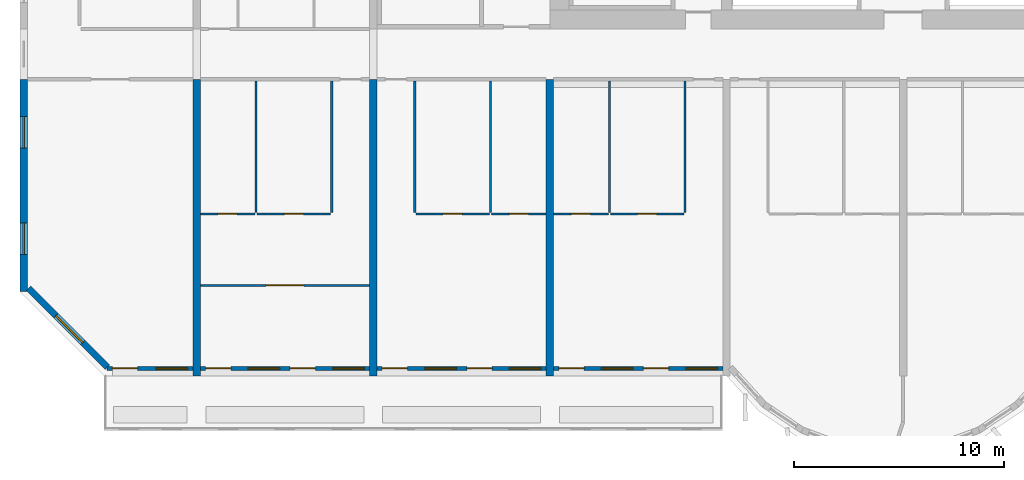
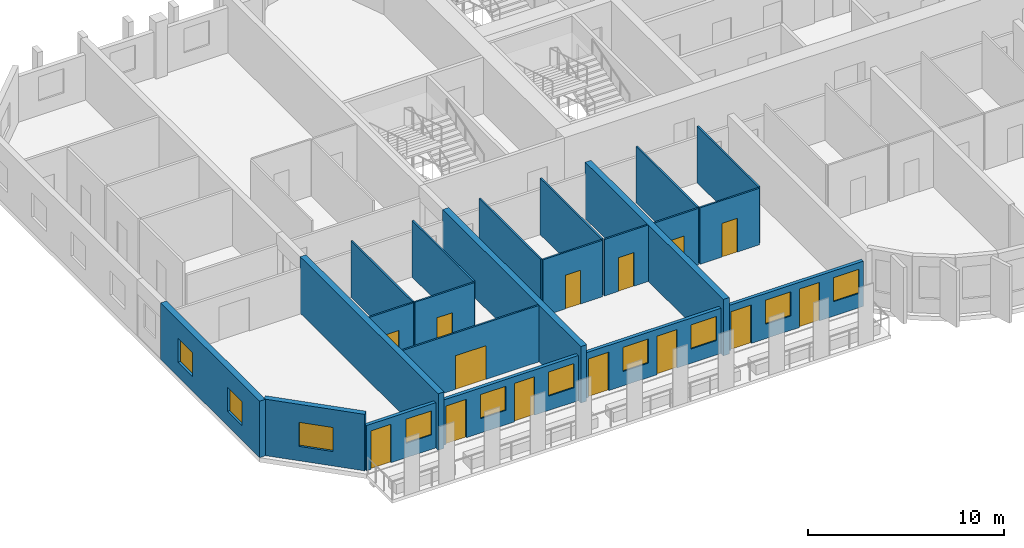
# One storey, part 2 of 14: 22 walls, 14 doors, 10 windows, 24 openings.
"""IFC4 building model written with IfcOpenShell, lengths in metres."""

import ifcopenshell
import ifcopenshell.guid

model = None  # the IFC model being written
_history = None  # IfcOwnerHistory: only IFC2X3 demands one
_inside = {}  # id of a spatial element -> (the spatial element, [elements in it])
_under = {}  # id of a project, library or spatial element -> (it, [spatial elements below it])
_declared = {}  # id of a project -> (the project, [libraries it declares])
_typed = {}  # id of a type object -> (the type object, [elements of that type])
_made_of = {}  # id of a material, layer set ... -> (it, [elements and type objects made of it])


def new_model(schema):
    """Start an empty IFC model of exactly this schema.

    Asked for "IFC4X3", IfcOpenShell would pick the latest addendum, in which some entities
    have other attributes; the version numbers below select the first issue.
    IFC2X3 requires an IfcOwnerHistory on every rooted entity: one is made here for all.
    """
    global model, _history
    if schema == "IFC4X3":
        model = ifcopenshell.file(schema_version=(4, 3, 0, 0))
    else:
        model = ifcopenshell.file(schema=schema)
    _inside.clear()
    _under.clear()
    _declared.clear()
    _typed.clear()
    _made_of.clear()
    _history = None
    if model.schema == "IFC2X3":
        org = make("IfcOrganization", Name="unknown")
        user = make(
            "IfcPersonAndOrganization",
            ThePerson=make("IfcPerson", FamilyName="unknown"),
            TheOrganization=org,
        )
        app = make(
            "IfcApplication",
            ApplicationDeveloper=org,
            Version="unknown",
            ApplicationFullName="unknown",
            ApplicationIdentifier="unknown",
        )
        _history = make(
            "IfcOwnerHistory",
            OwningUser=user,
            OwningApplication=app,
            ChangeAction="ADDED",
            CreationDate=0,
        )
    return model


def make(cls, **values):
    """One entity of the class cls with the attributes given. An attribute that is None is left unset."""
    return model.create_entity(
        cls, **{name: value for name, value in values.items() if value is not None}
    )


def rooted(cls, **values):
    """An entity with a GlobalId (a new one), such as an element, a storey or a relation."""
    return make(cls, GlobalId=ifcopenshell.guid.new(), OwnerHistory=_history, **values)


def si_unit(unit_type, name, prefix=None):
    """IfcSIUnit, for example si_unit("LENGTHUNIT", "METRE", prefix="MILLI")."""
    return make("IfcSIUnit", UnitType=unit_type, Prefix=prefix, Name=name)


def assignment(units):
    """IfcUnitAssignment: the units of a project."""
    return None if units is None else make("IfcUnitAssignment", Units=units)


def point(xyz):
    """IfcCartesianPoint."""
    return None if xyz is None else make("IfcCartesianPoint", Coordinates=xyz)


def direction(xyz):
    """IfcDirection."""
    return None if xyz is None else make("IfcDirection", DirectionRatios=xyz)


def frame(location, z_axis=None, x_axis=None):
    """IfcAxis2Placement3D, a coordinate frame: its origin and axes. An axis left out is left unset."""
    return make(
        "IfcAxis2Placement3D",
        Location=point(location),
        Axis=direction(z_axis),
        RefDirection=direction(x_axis),
    )


def frame_2d(location, x_axis=None):
    """IfcAxis2Placement2D, a coordinate frame in the plane: its origin and x axis."""
    return make(
        "IfcAxis2Placement2D", Location=point(location), RefDirection=direction(x_axis)
    )


def origin():
    """The frame at (0, 0, 0) with its axes left unset."""
    return frame((0.0, 0.0, 0.0))


def place(relative_to, where):
    """IfcLocalPlacement: puts the frame where relative to a parent placement (None: the world)."""
    return make(
        "IfcLocalPlacement", PlacementRelTo=relative_to, RelativePlacement=where
    )


def context(
    kind, dimensions, precision=None, world=None, true_north=None, identifier=None
):
    """IfcGeometricRepresentationContext, for example the 3D "Model" context."""
    return make(
        "IfcGeometricRepresentationContext",
        ContextIdentifier=identifier,
        ContextType=kind,
        CoordinateSpaceDimension=dimensions,
        Precision=precision,
        WorldCoordinateSystem=world,
        TrueNorth=true_north,
    )


def subcontext(parent, identifier, kind, view, scale=None):
    """IfcGeometricRepresentationSubContext, for example "Body" below "Model"."""
    return make(
        "IfcGeometricRepresentationSubContext",
        ContextIdentifier=identifier,
        ContextType=kind,
        ParentContext=parent,
        TargetScale=scale,
        TargetView=view,
    )


def project(units=None, contexts=None):
    """IfcProject with its units and contexts."""
    return rooted(
        "IfcProject",
        Name="project",
        RepresentationContexts=contexts,
        UnitsInContext=assignment(units),
    )


def spatial(cls, under=None, at=None, **own):
    """A site, building, storey or space (cls), placed at a placement, below another one or the project."""
    s = rooted(cls, ObjectPlacement=at, **own)
    if under is not None:
        _under.setdefault(under.id(), (under, []))[1].append(s)
    return s


def profile(cls, at=None, kind="AREA", **sizes):
    """A parametric profile (cls). Its sizes go by their IFC names, for example OverallWidth=200.0."""
    return make(cls, ProfileType=kind, Position=at, **sizes)


def rectangle(**sizes):
    """IfcRectangleProfileDef."""
    return profile("IfcRectangleProfileDef", **sizes)


def extrude(swept, where, along, depth):
    """IfcExtrudedAreaSolid: the profile swept, set in the frame where, extruded along a direction by depth."""
    return make(
        "IfcExtrudedAreaSolid",
        SweptArea=swept,
        Position=where,
        ExtrudedDirection=direction(along),
        Depth=depth,
    )


def shape(context_of_items, identifier, shape_type, items):
    """IfcShapeRepresentation: the items that make up one representation, for example the "Body"."""
    return make(
        "IfcShapeRepresentation",
        ContextOfItems=context_of_items,
        RepresentationIdentifier=identifier,
        RepresentationType=shape_type,
        Items=items,
    )


def source(mapping_origin, context_of_items, identifier, shape_type, items):
    """IfcRepresentationMap: a shape defined once, which mapped items show again and again."""
    return make(
        "IfcRepresentationMap",
        MappingOrigin=mapping_origin,
        MappedRepresentation=shape(context_of_items, identifier, shape_type, items),
    )


def transform(
    local_origin,
    x_axis=None,
    y_axis=None,
    z_axis=None,
    scale=None,
    scale2=None,
    scale3=None,
    uniform=True,
):
    """IfcCartesianTransformationOperator3D, or its non-uniform kind. x_axis, y_axis, z_axis: its Axis1, 2, 3."""
    if uniform:
        return make(
            "IfcCartesianTransformationOperator3D",
            Axis1=direction(x_axis),
            Axis2=direction(y_axis),
            LocalOrigin=point(local_origin),
            Scale=scale,
            Axis3=direction(z_axis),
        )
    return make(
        "IfcCartesianTransformationOperator3DnonUniform",
        Axis1=direction(x_axis),
        Axis2=direction(y_axis),
        LocalOrigin=point(local_origin),
        Scale=scale,
        Axis3=direction(z_axis),
        Scale2=scale2,
        Scale3=scale3,
    )


def mapped(mapping_source, mapping_target):
    """IfcMappedItem: shows the shape of a source again, moved by a transform."""
    return make(
        "IfcMappedItem", MappingSource=mapping_source, MappingTarget=mapping_target
    )


def material(Name=None, Category=None):
    """IfcMaterial."""
    return make("IfcMaterial", Name=Name, Category=Category)


def layer(
    of_material, thickness, ventilated=None, Name=None, Category=None, Priority=None
):
    """IfcMaterialLayer: one layer of a wall or slab, of a material (None: an air gap)."""
    return make(
        "IfcMaterialLayer",
        Material=of_material,
        LayerThickness=thickness,
        IsVentilated=ventilated,
        Name=Name,
        Category=Category,
        Priority=Priority,
    )


def layer_set(layers, Name=None):
    """IfcMaterialLayerSet."""
    return make("IfcMaterialLayerSet", MaterialLayers=layers, LayerSetName=Name)


def made_of(thing, what):
    """Note that an element or type object is made of a material, layer set ...; save() writes the relation."""
    if what is not None:
        _made_of.setdefault(what.id(), (what, []))[1].append(thing)
    return thing


def type_object(cls, material=None, **own):
    """A type object (cls), such as IfcWallType, which elements share."""
    return made_of(rooted(cls, **own), material)


def element(
    cls,
    number,
    at=None,
    inside=None,
    cuts=None,
    type_object=None,
    material=None,
    context=None,
    identifier="Body",
    shape_type=None,
    held_by="IfcProductDefinitionShape",
    body=None,
    shapes=None,
    **own,
):
    """One element of the class cls, such as IfcWall. Its Tag is "e" and its number.

    at: its placement. inside: the storey or other place that contains it. cuts: it is an
    opening in that element (IfcRelVoidsElement). A single representation is given by context,
    identifier, shape_type and body (its items); several are given by shapes. held_by: the class
    of the entity that holds the representations. save() writes the other relations.
    """
    e = rooted(cls, Tag="e%d" % number, ObjectPlacement=at, **own)
    if body is not None:
        shapes = [shape(context, identifier, shape_type, body)]
    if shapes is not None:
        e.Representation = make(held_by, Representations=shapes)
    if inside is not None:
        _inside.setdefault(inside.id(), (inside, []))[1].append(e)
    if cuts is not None:
        rooted(
            "IfcRelVoidsElement", RelatingBuildingElement=cuts, RelatedOpeningElement=e
        )
    if type_object is not None:
        _typed.setdefault(type_object.id(), (type_object, []))[1].append(e)
    return made_of(e, material)


def fill(opening, filler):
    """IfcRelFillsElement: the door or window that sits in an opening."""
    return rooted(
        "IfcRelFillsElement",
        RelatingOpeningElement=opening,
        RelatedBuildingElement=filler,
    )


def aggregate(whole, parts):
    """IfcRelAggregates: a whole, such as a stair, and the parts it consists of."""
    return rooted("IfcRelAggregates", RelatingObject=whole, RelatedObjects=parts)


def save(model, path):
    """Write the relations noted so far, then the file.

    IfcRelAggregates (storeys below a building ...), IfcRelContainedInSpatialStructure (elements
    in a storey), IfcRelDefinesByType, IfcRelAssociatesMaterial and IfcRelDeclares: one each for
    every whole, place, type object, material and project.
    """
    for whole, parts in _under.values():
        aggregate(whole, parts)
    for where, things in _inside.values():
        rooted(
            "IfcRelContainedInSpatialStructure",
            RelatedElements=things,
            RelatingStructure=where,
        )
    for kind, things in _typed.values():
        rooted("IfcRelDefinesByType", RelatedObjects=things, RelatingType=kind)
    for what, things in _made_of.values():
        rooted("IfcRelAssociatesMaterial", RelatedObjects=things, RelatingMaterial=what)
    for by, libraries in _declared.values():
        rooted("IfcRelDeclares", RelatingContext=by, RelatedDefinitions=libraries)
    model.write(path)


model = new_model("IFC4")

# Units and contexts
model_context = context("Model", 3, precision=1e-05, world=origin(), true_north=direction((0.0, 1.0)))
body_context = subcontext(model_context, "Body", "Model", "MODEL_VIEW")
ifc_project = project(units=[si_unit("LENGTHUNIT", "METRE"), si_unit("AREAUNIT", "SQUARE_METRE"), si_unit("VOLUMEUNIT", "CUBIC_METRE"), si_unit("PLANEANGLEUNIT", "RADIAN"), si_unit("MASSUNIT", "GRAM", prefix="KILO")], contexts=[model_context])

# Site, building, storey
site_placement = place(None, origin())
site = spatial("IfcSite", under=ifc_project, at=site_placement, CompositionType="ELEMENT")
building_placement = place(site_placement, origin())
building = spatial("IfcBuilding", under=site, at=building_placement, Name="Vanashikhar Sky Hotel", CompositionType="ELEMENT")
storey_placement = place(building_placement, frame((0.0, 0.0, 118.0)))
storey = spatial("IfcBuildingStorey", under=building, at=storey_placement, Name="L28", CompositionType="ELEMENT", Elevation=118.0)

# Wall, openings, windows
ifc_material_1 = material(Name="Concrete M70", Category="concrete")
ifc_layer_1 = layer(ifc_material_1, 0.35009765625)
ifc_layer_set_1 = layer_set([ifc_layer_1], Name="RC shear wall 350 Concrete M70")
wall_type_1 = type_object("IfcWallType", Name="RC shear wall 350 Concrete M70", PredefinedType="SHEAR", material=ifc_layer_set_1)
shared_shape_1 = source(origin(), body_context, "Body", "SweptSolid", [
    extrude(rectangle(XDim=10.10009765625, YDim=0.35009765625, at=frame_2d((5.050048828125, 0.0))), origin(), (0.0, 0.0, 1.0), 3.52001953125),
])
wall_1_placement = place(storey_placement, frame((0.175048828125, 9.5, 0.0), z_axis=(0.0, 0.0, 1.0), x_axis=(0.0, 1.0, 0.0)))
wall_1 = element("IfcWall", 1, at=wall_1_placement, inside=storey, type_object=wall_type_1, Name="CW-L28-XW01-1", PredefinedType="SHEAR", context=body_context, shape_type="MappedRepresentation", body=[
    mapped(shared_shape_1, transform((0.0, 0.0, 0.0), scale=1.0)),
])
shared_shape_2 = source(origin(), body_context, "Body", "SweptSolid", [
    extrude(rectangle(XDim=1.5, YDim=1.5, at=frame_2d((0.75, 0.75))), frame((0.0, 0.18505859375, 0.0), z_axis=(0.0, -1.0, 0.0), x_axis=(1.0, 0.0, 0.0)), (0.0, 0.0, 1.0), 0.3701171875),
])
opening_1_placement = place(wall_1_placement, frame((1.77490234375, 0.0, 0.89990234375)))
opening_1 = element("IfcOpeningElement", 2, at=opening_1_placement, cuts=wall_1, Name="Opening WN-1", PredefinedType="OPENING", context=body_context, shape_type="MappedRepresentation", body=[
    mapped(shared_shape_2, transform((0.0, 0.0, 0.0), scale=1.0)),
])
opening_2_placement = place(wall_1_placement, frame((6.824951171875, 0.0, 0.89990234375)))
opening_2 = element("IfcOpeningElement", 3, at=opening_2_placement, cuts=wall_1, Name="Opening WN-1", PredefinedType="OPENING", context=body_context, shape_type="MappedRepresentation", body=[
    mapped(shared_shape_2, transform((0.0, 0.0, 0.0), scale=1.0)),
])
ifc_material_2 = material(Name="Glass", Category="glass")
window_type_1 = type_object("IfcWindowType", Name="Window 1500 x 1500", PartitioningType="SINGLE_PANEL", PredefinedType="WINDOW", material=ifc_material_2)
shared_shape_3 = source(origin(), body_context, "Body", "SweptSolid", [
    extrude(rectangle(XDim=1.5, YDim=1.5, at=frame_2d((0.75, 0.75))), frame((0.0, 0.030029296875, 0.0), z_axis=(0.0, -1.0, 0.0), x_axis=(1.0, 0.0, 0.0)), (0.0, 0.0, 1.0), 0.06005859375),
])
window_1_placement = place(opening_1_placement, origin())
window_1 = element("IfcWindow", 4, at=window_1_placement, inside=storey, type_object=window_type_1, Name="Window WN-1", OverallHeight=1.5, OverallWidth=1.5, PartitioningType="SINGLE_PANEL", PredefinedType="WINDOW", context=body_context, shape_type="MappedRepresentation", body=[
    mapped(shared_shape_3, transform((0.0, 0.0, 0.0), scale=1.0)),
])
fill(opening_1, window_1)
window_2_placement = place(opening_2_placement, origin())
window_2 = element("IfcWindow", 5, at=window_2_placement, inside=storey, type_object=window_type_1, Name="Window WN-1", OverallHeight=1.5, OverallWidth=1.5, PartitioningType="SINGLE_PANEL", PredefinedType="WINDOW", context=body_context, shape_type="MappedRepresentation", body=[
    mapped(shared_shape_3, transform((0.0, 0.0, 0.0), scale=1.0)),
])
fill(opening_2, window_2)

# Walls
shared_shape_4 = source(origin(), body_context, "Body", "SweptSolid", [
    extrude(rectangle(XDim=14.10009765625, YDim=0.35009765625, at=frame_2d((7.050048828125, 0.0))), origin(), (0.0, 0.0, 1.0), 3.52001953125),
])
for number, where, z_axis, x_axis, name in (
    (6, (8.39990234375, 5.5, 0.0), (0.0, 0.0, 1.0), (0.0, 1.0, 0.0), "CW-L28-XW02-1"),
    (7, (16.800048828125, 5.5, 0.0), (0.0, 0.0, 1.0), (0.0, 1.0, 0.0), "CW-L28-XW03-1"),
    (8, (25.199951171875, 5.5, 0.0), (0.0, 0.0, 1.0), (0.0, 1.0, 0.0), "CW-L28-XW04-1"),
):
    element("IfcWall", number, at=place(storey_placement, frame(where, z_axis=z_axis, x_axis=x_axis)), inside=storey, type_object=wall_type_1, Name=name, PredefinedType="SHEAR", context=body_context, shape_type="MappedRepresentation", body=[
        mapped(shared_shape_4, transform((0.0, 0.0, 0.0), scale=1.0)),
    ])

# Wall, opening, window
ifc_material_3 = material(Name="Concrete M50", Category="concrete")
ifc_layer_2 = layer(ifc_material_3, 0.300048828125)
ifc_layer_set_2 = layer_set([ifc_layer_2], Name="Lobe wall 300")
wall_type_2 = type_object("IfcWallType", Name="Lobe wall 300", PredefinedType="SOLIDWALL", material=ifc_layer_set_2)
shared_shape_5 = source(origin(), body_context, "Body", "SweptSolid", [
    extrude(rectangle(XDim=5.32568359375, YDim=0.300048828125, at=frame_2d((2.662841796875, 0.0))), origin(), (0.0, 0.0, 1.0), 3.52001953125),
])
wall_2_placement = place(storey_placement, frame((0.39990234375, 9.665771484375, 0.0), z_axis=(0.0, 0.0, 1.0), x_axis=(0.707106781187, -0.707106781187, 0.0)))
wall_2 = element("IfcWall", 9, at=wall_2_placement, inside=storey, type_object=wall_type_2, Name="Corner wall", PredefinedType="SOLIDWALL", context=body_context, shape_type="MappedRepresentation", body=[
    mapped(shared_shape_5, transform((0.0, 0.0, 0.0), scale=1.0)),
])
shared_shape_6 = source(origin(), body_context, "Body", "SweptSolid", [
    extrude(rectangle(XDim=1.800048828125, YDim=1.5, at=frame_2d((0.89990234375, 0.75))), frame((0.0, 0.16015625, 0.0), z_axis=(0.0, -1.0, 0.0), x_axis=(1.0, 0.0, 0.0)), (0.0, 0.0, 1.0), 0.320068359375),
])
opening_3_placement = place(wall_2_placement, frame((1.853759765625, 0.0, 0.89990234375)))
opening_3 = element("IfcOpeningElement", 10, at=opening_3_placement, cuts=wall_2, Name="Opening WN-4", PredefinedType="OPENING", context=body_context, shape_type="MappedRepresentation", body=[
    mapped(shared_shape_6, transform((0.0, 0.0, 0.0), scale=1.0)),
])
window_type_2 = type_object("IfcWindowType", Name="Corner window 1800 x 1500", PartitioningType="SINGLE_PANEL", PredefinedType="WINDOW", material=ifc_material_2)
shared_shape_7 = source(origin(), body_context, "Body", "SweptSolid", [
    extrude(rectangle(XDim=1.800048828125, YDim=1.5, at=frame_2d((0.89990234375, 0.75))), frame((0.0, 0.030029296875, 0.0), z_axis=(0.0, -1.0, 0.0), x_axis=(1.0, 0.0, 0.0)), (0.0, 0.0, 1.0), 0.06005859375),
])
window_3_placement = place(opening_3_placement, origin())
window_3 = element("IfcWindow", 11, at=window_3_placement, inside=storey, type_object=window_type_2, Name="Window WN-4", OverallHeight=1.5, OverallWidth=1.800048828125, PartitioningType="SINGLE_PANEL", PredefinedType="WINDOW", context=body_context, shape_type="MappedRepresentation", body=[
    mapped(shared_shape_7, transform((0.0, 0.0, 0.0), scale=1.0)),
])
fill(opening_3, window_3)

# Wall, openings, window, door
ifc_layer_3 = layer(ifc_material_3, 0.199951171875)
ifc_layer_set_3 = layer_set([ifc_layer_3], Name="Front window wall 200")
wall_type_3 = type_object("IfcWallType", Name="Front window wall 200", PredefinedType="SOLIDWALL", material=ifc_layer_set_3)
shared_shape_8 = source(origin(), body_context, "Body", "SweptSolid", [
    extrude(rectangle(XDim=4.080078125, YDim=0.199951171875, at=frame_2d((2.0400390625, 0.0))), origin(), (0.0, 0.0, 1.0), 2.820068359375),
])
wall_3_placement = place(storey_placement, frame((4.14501953125, 5.85009765625, 0.0), z_axis=(0.0, 0.0, 1.0), x_axis=(1.0, 0.0, 0.0)))
wall_3 = element("IfcWall", 12, at=wall_3_placement, inside=storey, type_object=wall_type_3, Name="Front window wall", PredefinedType="SOLIDWALL", context=body_context, shape_type="MappedRepresentation", body=[
    mapped(shared_shape_8, transform((0.0, 0.0, 0.0), scale=1.0)),
])
shared_shape_9 = source(origin(), body_context, "Body", "SweptSolid", [
    extrude(rectangle(XDim=1.199951171875, YDim=2.39990234375, at=frame_2d((0.60009765625, 1.199951171875))), frame((0.0, 0.10986328125, 0.0), z_axis=(0.0, -1.0, 0.0), x_axis=(1.0, 0.0, 0.0)), (0.0, 0.0, 1.0), 0.219970703125),
])
opening_4_placement = place(wall_3_placement, frame((0.25, 0.0, 0.0)))
opening_4 = element("IfcOpeningElement", 13, at=opening_4_placement, cuts=wall_3, Name="Opening BD-01", PredefinedType="OPENING", context=body_context, shape_type="MappedRepresentation", body=[
    mapped(shared_shape_9, transform((0.0, 0.0, 0.0), scale=1.0)),
])
shared_shape_10 = source(origin(), body_context, "Body", "SweptSolid", [
    extrude(rectangle(XDim=1.5, YDim=1.5, at=frame_2d((0.75, 0.75))), frame((0.0, 0.10986328125, 0.0), z_axis=(0.0, -1.0, 0.0), x_axis=(1.0, 0.0, 0.0)), (0.0, 0.0, 1.0), 0.219970703125),
])
opening_5_placement = place(wall_3_placement, frame((2.330078125, 0.0, 0.89990234375)))
opening_5 = element("IfcOpeningElement", 14, at=opening_5_placement, cuts=wall_3, Name="Opening WN-1", PredefinedType="OPENING", context=body_context, shape_type="MappedRepresentation", body=[
    mapped(shared_shape_10, transform((0.0, 0.0, 0.0), scale=1.0)),
])
window_4_placement = place(opening_5_placement, origin())
window_4 = element("IfcWindow", 15, at=window_4_placement, inside=storey, type_object=window_type_1, Name="Window WN-1", OverallHeight=1.5, OverallWidth=1.5, PartitioningType="SINGLE_PANEL", PredefinedType="WINDOW", context=body_context, shape_type="MappedRepresentation", body=[
    mapped(shared_shape_3, transform((0.0, 0.0, 0.0), scale=1.0)),
])
fill(opening_5, window_4)
ifc_material_4 = material(Name="Aluminium", Category="aluminium")
door_type_1 = type_object("IfcDoorType", Name="Balcony sliding door 1200 x 2400", OperationType="NOTDEFINED", PredefinedType="DOOR", material=ifc_material_4)
shared_shape_11 = source(origin(), body_context, "Body", "SweptSolid", [
    extrude(rectangle(XDim=1.199951171875, YDim=2.39990234375, at=frame_2d((0.60009765625, 1.199951171875))), frame((0.0, 0.02490234375, 0.0), z_axis=(0.0, -1.0, 0.0), x_axis=(1.0, 0.0, 0.0)), (0.0, 0.0, 1.0), 0.050048828125),
])
door_1_placement = place(opening_4_placement, origin())
door_1 = element("IfcDoor", 16, at=door_1_placement, inside=storey, type_object=door_type_1, Name="Balcony sliding door", OperationType="SLIDING_TO_LEFT", OverallHeight=2.39990234375, OverallWidth=1.199951171875, PredefinedType="DOOR", context=body_context, shape_type="MappedRepresentation", body=[
    mapped(shared_shape_11, transform((0.0, 0.0, 0.0), scale=1.0)),
])
fill(opening_4, door_1)

# Wall, openings, windows, doors
shared_shape_12 = source(origin(), body_context, "Body", "SweptSolid", [
    extrude(rectangle(XDim=8.050048828125, YDim=0.199951171875, at=frame_2d((4.02490234375, 0.0))), origin(), (0.0, 0.0, 1.0), 2.820068359375),
])
wall_4_placement = place(storey_placement, frame((8.574951171875, 5.85009765625, 0.0), z_axis=(0.0, 0.0, 1.0), x_axis=(1.0, 0.0, 0.0)))
wall_4 = element("IfcWall", 17, at=wall_4_placement, inside=storey, type_object=wall_type_3, Name="Front window wall", PredefinedType="SOLIDWALL", context=body_context, shape_type="MappedRepresentation", body=[
    mapped(shared_shape_12, transform((0.0, 0.0, 0.0), scale=1.0)),
])
opening_6_placement = place(wall_4_placement, frame((0.25, 0.0, 0.0)))
opening_6 = element("IfcOpeningElement", 18, at=opening_6_placement, cuts=wall_4, Name="Opening BD-02", PredefinedType="OPENING", context=body_context, shape_type="MappedRepresentation", body=[
    mapped(shared_shape_9, transform((0.0, 0.0, 0.0), scale=1.0)),
])
opening_7_placement = place(wall_4_placement, frame((2.27490234375, 0.0, 0.89990234375)))
opening_7 = element("IfcOpeningElement", 19, at=opening_7_placement, cuts=wall_4, Name="Opening WN-1", PredefinedType="OPENING", context=body_context, shape_type="MappedRepresentation", body=[
    mapped(shared_shape_10, transform((0.0, 0.0, 0.0), scale=1.0)),
])
opening_8_placement = place(wall_4_placement, frame((4.27490234375, 0.0, 0.0)))
opening_8 = element("IfcOpeningElement", 20, at=opening_8_placement, cuts=wall_4, Name="Opening BD-03", PredefinedType="OPENING", context=body_context, shape_type="MappedRepresentation", body=[
    mapped(shared_shape_9, transform((0.0, 0.0, 0.0), scale=1.0)),
])
opening_9_placement = place(wall_4_placement, frame((6.300048828125, 0.0, 0.89990234375)))
opening_9 = element("IfcOpeningElement", 21, at=opening_9_placement, cuts=wall_4, Name="Opening WN-1", PredefinedType="OPENING", context=body_context, shape_type="MappedRepresentation", body=[
    mapped(shared_shape_10, transform((0.0, 0.0, 0.0), scale=1.0)),
])
window_5_placement = place(opening_7_placement, origin())
window_5 = element("IfcWindow", 22, at=window_5_placement, inside=storey, type_object=window_type_1, Name="Window WN-1", OverallHeight=1.5, OverallWidth=1.5, PartitioningType="SINGLE_PANEL", PredefinedType="WINDOW", context=body_context, shape_type="MappedRepresentation", body=[
    mapped(shared_shape_3, transform((0.0, 0.0, 0.0), scale=1.0)),
])
fill(opening_7, window_5)
window_6_placement = place(opening_9_placement, origin())
window_6 = element("IfcWindow", 23, at=window_6_placement, inside=storey, type_object=window_type_1, Name="Window WN-1", OverallHeight=1.5, OverallWidth=1.5, PartitioningType="SINGLE_PANEL", PredefinedType="WINDOW", context=body_context, shape_type="MappedRepresentation", body=[
    mapped(shared_shape_3, transform((0.0, 0.0, 0.0), scale=1.0)),
])
fill(opening_9, window_6)
door_2_placement = place(opening_6_placement, origin())
door_2 = element("IfcDoor", 24, at=door_2_placement, inside=storey, type_object=door_type_1, Name="Balcony sliding door", OperationType="SLIDING_TO_RIGHT", OverallHeight=2.39990234375, OverallWidth=1.199951171875, PredefinedType="DOOR", context=body_context, shape_type="MappedRepresentation", body=[
    mapped(shared_shape_11, transform((0.0, 0.0, 0.0), scale=1.0)),
])
fill(opening_6, door_2)
door_3_placement = place(opening_8_placement, origin())
door_3 = element("IfcDoor", 25, at=door_3_placement, inside=storey, type_object=door_type_1, Name="Balcony sliding door", OperationType="SLIDING_TO_LEFT", OverallHeight=2.39990234375, OverallWidth=1.199951171875, PredefinedType="DOOR", context=body_context, shape_type="MappedRepresentation", body=[
    mapped(shared_shape_11, transform((0.0, 0.0, 0.0), scale=1.0)),
])
fill(opening_8, door_3)

wall_5_placement = place(storey_placement, frame((25.375, 5.85009765625, 0.0), z_axis=(0.0, 0.0, 1.0), x_axis=(1.0, 0.0, 0.0)))
wall_5 = element("IfcWall", 26, at=wall_5_placement, inside=storey, type_object=wall_type_3, Name="Front window wall", PredefinedType="SOLIDWALL", context=body_context, shape_type="MappedRepresentation", body=[
    mapped(shared_shape_12, transform((0.0, 0.0, 0.0), scale=1.0)),
])
opening_10_placement = place(wall_5_placement, frame((0.25, 0.0, 0.0)))
opening_10 = element("IfcOpeningElement", 27, at=opening_10_placement, cuts=wall_5, Name="Opening BD-06", PredefinedType="OPENING", context=body_context, shape_type="MappedRepresentation", body=[
    mapped(shared_shape_9, transform((0.0, 0.0, 0.0), scale=1.0)),
])
opening_11_placement = place(wall_5_placement, frame((2.27490234375, 0.0, 0.89990234375)))
opening_11 = element("IfcOpeningElement", 28, at=opening_11_placement, cuts=wall_5, Name="Opening WN-1", PredefinedType="OPENING", context=body_context, shape_type="MappedRepresentation", body=[
    mapped(shared_shape_10, transform((0.0, 0.0, 0.0), scale=1.0)),
])
opening_12_placement = place(wall_5_placement, frame((4.27490234375, 0.0, 0.0)))
opening_12 = element("IfcOpeningElement", 29, at=opening_12_placement, cuts=wall_5, Name="Opening BD-07", PredefinedType="OPENING", context=body_context, shape_type="MappedRepresentation", body=[
    mapped(shared_shape_9, transform((0.0, 0.0, 0.0), scale=1.0)),
])
opening_13_placement = place(wall_5_placement, frame((6.300048828125, 0.0, 0.89990234375)))
opening_13 = element("IfcOpeningElement", 30, at=opening_13_placement, cuts=wall_5, Name="Opening WN-1", PredefinedType="OPENING", context=body_context, shape_type="MappedRepresentation", body=[
    mapped(shared_shape_10, transform((0.0, 0.0, 0.0), scale=1.0)),
])
window_7_placement = place(opening_11_placement, origin())
window_7 = element("IfcWindow", 31, at=window_7_placement, inside=storey, type_object=window_type_1, Name="Window WN-1", OverallHeight=1.5, OverallWidth=1.5, PartitioningType="SINGLE_PANEL", PredefinedType="WINDOW", context=body_context, shape_type="MappedRepresentation", body=[
    mapped(shared_shape_3, transform((0.0, 0.0, 0.0), scale=1.0)),
])
fill(opening_11, window_7)
window_8_placement = place(opening_13_placement, origin())
window_8 = element("IfcWindow", 32, at=window_8_placement, inside=storey, type_object=window_type_1, Name="Window WN-1", OverallHeight=1.5, OverallWidth=1.5, PartitioningType="SINGLE_PANEL", PredefinedType="WINDOW", context=body_context, shape_type="MappedRepresentation", body=[
    mapped(shared_shape_3, transform((0.0, 0.0, 0.0), scale=1.0)),
])
fill(opening_13, window_8)
door_4_placement = place(opening_10_placement, origin())
door_4 = element("IfcDoor", 33, at=door_4_placement, inside=storey, type_object=door_type_1, Name="Balcony sliding door", OperationType="SLIDING_TO_RIGHT", OverallHeight=2.39990234375, OverallWidth=1.199951171875, PredefinedType="DOOR", context=body_context, shape_type="MappedRepresentation", body=[
    mapped(shared_shape_11, transform((0.0, 0.0, 0.0), scale=1.0)),
])
fill(opening_10, door_4)
door_5_placement = place(opening_12_placement, origin())
door_5 = element("IfcDoor", 34, at=door_5_placement, inside=storey, type_object=door_type_1, Name="Balcony sliding door", OperationType="SLIDING_TO_LEFT", OverallHeight=2.39990234375, OverallWidth=1.199951171875, PredefinedType="DOOR", context=body_context, shape_type="MappedRepresentation", body=[
    mapped(shared_shape_11, transform((0.0, 0.0, 0.0), scale=1.0)),
])
fill(opening_12, door_5)

shared_shape_13 = source(origin(), body_context, "Body", "SweptSolid", [
    extrude(rectangle(XDim=8.0498046875, YDim=0.199951171875, at=frame_2d((4.02490234375, 0.0))), origin(), (0.0, 0.0, 1.0), 2.820068359375),
])
wall_6_placement = place(storey_placement, frame((16.97509765625, 5.85009765625, 0.0), z_axis=(0.0, 0.0, 1.0), x_axis=(1.0, 0.0, 0.0)))
wall_6 = element("IfcWall", 35, at=wall_6_placement, inside=storey, type_object=wall_type_3, Name="Front window wall", PredefinedType="SOLIDWALL", context=body_context, shape_type="MappedRepresentation", body=[
    mapped(shared_shape_13, transform((0.0, 0.0, 0.0), scale=1.0)),
])
opening_14_placement = place(wall_6_placement, frame((0.25, 0.0, 0.0)))
opening_14 = element("IfcOpeningElement", 36, at=opening_14_placement, cuts=wall_6, Name="Opening BD-04", PredefinedType="OPENING", context=body_context, shape_type="MappedRepresentation", body=[
    mapped(shared_shape_9, transform((0.0, 0.0, 0.0), scale=1.0)),
])
opening_15_placement = place(wall_6_placement, frame((2.27490234375, 0.0, 0.89990234375)))
opening_15 = element("IfcOpeningElement", 37, at=opening_15_placement, cuts=wall_6, Name="Opening WN-1", PredefinedType="OPENING", context=body_context, shape_type="MappedRepresentation", body=[
    mapped(shared_shape_10, transform((0.0, 0.0, 0.0), scale=1.0)),
])
opening_16_placement = place(wall_6_placement, frame((4.27490234375, 0.0, 0.0)))
opening_16 = element("IfcOpeningElement", 38, at=opening_16_placement, cuts=wall_6, Name="Opening BD-05", PredefinedType="OPENING", context=body_context, shape_type="MappedRepresentation", body=[
    mapped(shared_shape_9, transform((0.0, 0.0, 0.0), scale=1.0)),
])
opening_17_placement = place(wall_6_placement, frame((6.300048828125, 0.0, 0.89990234375)))
opening_17 = element("IfcOpeningElement", 39, at=opening_17_placement, cuts=wall_6, Name="Opening WN-1", PredefinedType="OPENING", context=body_context, shape_type="MappedRepresentation", body=[
    mapped(shared_shape_10, transform((0.0, 0.0, 0.0), scale=1.0)),
])
window_9_placement = place(opening_15_placement, origin())
window_9 = element("IfcWindow", 40, at=window_9_placement, inside=storey, type_object=window_type_1, Name="Window WN-1", OverallHeight=1.5, OverallWidth=1.5, PartitioningType="SINGLE_PANEL", PredefinedType="WINDOW", context=body_context, shape_type="MappedRepresentation", body=[
    mapped(shared_shape_3, transform((0.0, 0.0, 0.0), scale=1.0)),
])
fill(opening_15, window_9)
window_10_placement = place(opening_17_placement, origin())
window_10 = element("IfcWindow", 41, at=window_10_placement, inside=storey, type_object=window_type_1, Name="Window WN-1", OverallHeight=1.5, OverallWidth=1.5, PartitioningType="SINGLE_PANEL", PredefinedType="WINDOW", context=body_context, shape_type="MappedRepresentation", body=[
    mapped(shared_shape_3, transform((0.0, 0.0, 0.0), scale=1.0)),
])
fill(opening_17, window_10)
door_6_placement = place(opening_14_placement, origin())
door_6 = element("IfcDoor", 42, at=door_6_placement, inside=storey, type_object=door_type_1, Name="Balcony sliding door", OperationType="SLIDING_TO_RIGHT", OverallHeight=2.39990234375, OverallWidth=1.199951171875, PredefinedType="DOOR", context=body_context, shape_type="MappedRepresentation", body=[
    mapped(shared_shape_11, transform((0.0, 0.0, 0.0), scale=1.0)),
])
fill(opening_14, door_6)
door_7_placement = place(opening_16_placement, origin())
door_7 = element("IfcDoor", 43, at=door_7_placement, inside=storey, type_object=door_type_1, Name="Balcony sliding door", OperationType="SLIDING_TO_LEFT", OverallHeight=2.39990234375, OverallWidth=1.199951171875, PredefinedType="DOOR", context=body_context, shape_type="MappedRepresentation", body=[
    mapped(shared_shape_11, transform((0.0, 0.0, 0.0), scale=1.0)),
])
fill(opening_16, door_7)

# Wall, opening, door
ifc_material_5 = material(Name="Gypsum plasterboard partition")
ifc_layer_4 = layer(ifc_material_5, 0.10009765625)
ifc_layer_set_4 = layer_set([ifc_layer_4], Name="Wet room partition 100")
wall_type_4 = type_object("IfcWallType", Name="Wet room partition 100", PredefinedType="PARTITIONING", material=ifc_layer_set_4)
shared_shape_14 = source(origin(), body_context, "Body", "SweptSolid", [
    extrude(rectangle(XDim=3.5, YDim=0.10009765625, at=frame_2d((1.75, 0.0))), origin(), (0.0, 0.0, 1.0), 3.52001953125),
])
wall_7_placement = place(storey_placement, frame((11.27490234375, 13.199951171875, 0.0), z_axis=(0.0, 0.0, 1.0), x_axis=(1.0, 0.0, 0.0)))
wall_7 = element("IfcWall", 44, at=wall_7_placement, inside=storey, type_object=wall_type_4, Name="W-L28-PW004", PredefinedType="PARTITIONING", context=body_context, shape_type="MappedRepresentation", body=[
    mapped(shared_shape_14, transform((0.0, 0.0, 0.0), scale=1.0)),
])
shared_shape_15 = source(origin(), body_context, "Body", "SweptSolid", [
    extrude(rectangle(XDim=0.89990234375, YDim=2.10009765625, at=frame_2d((0.449951171875, 1.050048828125))), frame((0.0, 0.06005859375, 0.0), z_axis=(0.0, -1.0, 0.0), x_axis=(1.0, 0.0, 0.0)), (0.0, 0.0, 1.0), 0.1201171875),
])
opening_18_placement = place(wall_7_placement, frame((1.300048828125, 0.0, 0.0)))
opening_18 = element("IfcOpeningElement", 45, at=opening_18_placement, cuts=wall_7, Name="Opening D-02", PredefinedType="OPENING", context=body_context, shape_type="MappedRepresentation", body=[
    mapped(shared_shape_15, transform((0.0, 0.0, 0.0), scale=1.0)),
])
ifc_material_6 = material(Name="Timber door", Category="wood")
door_type_2 = type_object("IfcDoorType", Name="Internal door 900", OperationType="NOTDEFINED", PredefinedType="DOOR", material=ifc_material_6)
shared_shape_16 = source(origin(), body_context, "Body", "SweptSolid", [
    extrude(rectangle(XDim=0.89990234375, YDim=2.10009765625, at=frame_2d((0.449951171875, 1.050048828125))), frame((0.0, 0.02490234375, 0.0), z_axis=(0.0, -1.0, 0.0), x_axis=(1.0, 0.0, 0.0)), (0.0, 0.0, 1.0), 0.050048828125),
])
door_8_placement = place(opening_18_placement, origin())
door_8 = element("IfcDoor", 46, at=door_8_placement, inside=storey, type_object=door_type_2, Name="D-L28-002", OperationType="SINGLE_SWING_RIGHT", OverallHeight=2.10009765625, OverallWidth=0.89990234375, PredefinedType="DOOR", context=body_context, shape_type="MappedRepresentation", body=[
    mapped(shared_shape_16, transform((0.0, 0.0, 0.0), scale=1.0)),
])
fill(opening_18, door_8)

wall_8_placement = place(storey_placement, frame((18.824951171875, 13.199951171875, 0.0), z_axis=(0.0, 0.0, 1.0), x_axis=(1.0, 0.0, 0.0)))
wall_8 = element("IfcWall", 47, at=wall_8_placement, inside=storey, type_object=wall_type_4, Name="W-L28-PW010", PredefinedType="PARTITIONING", context=body_context, shape_type="MappedRepresentation", body=[
    mapped(shared_shape_14, transform((0.0, 0.0, 0.0), scale=1.0)),
])
opening_19_placement = place(wall_8_placement, frame((1.300048828125, 0.0, 0.0)))
opening_19 = element("IfcOpeningElement", 48, at=opening_19_placement, cuts=wall_8, Name="Opening D-02", PredefinedType="OPENING", context=body_context, shape_type="MappedRepresentation", body=[
    mapped(shared_shape_15, transform((0.0, 0.0, 0.0), scale=1.0)),
])
door_9_placement = place(opening_19_placement, origin())
door_9 = element("IfcDoor", 49, at=door_9_placement, inside=storey, type_object=door_type_2, Name="D-L28-006", OperationType="SINGLE_SWING_LEFT", OverallHeight=2.10009765625, OverallWidth=0.89990234375, PredefinedType="DOOR", context=body_context, shape_type="MappedRepresentation", body=[
    mapped(shared_shape_16, transform((0.0, 0.0, 0.0), scale=1.0)),
])
fill(opening_19, door_9)

wall_9_placement = place(storey_placement, frame((28.074951171875, 13.199951171875, 0.0), z_axis=(0.0, 0.0, 1.0), x_axis=(1.0, 0.0, 0.0)))
wall_9 = element("IfcWall", 50, at=wall_9_placement, inside=storey, type_object=wall_type_4, Name="W-L28-PW015", PredefinedType="PARTITIONING", context=body_context, shape_type="MappedRepresentation", body=[
    mapped(shared_shape_14, transform((0.0, 0.0, 0.0), scale=1.0)),
])
opening_20_placement = place(wall_9_placement, frame((1.300048828125, 0.0, 0.0)))
opening_20 = element("IfcOpeningElement", 51, at=opening_20_placement, cuts=wall_9, Name="Opening D-02", PredefinedType="OPENING", context=body_context, shape_type="MappedRepresentation", body=[
    mapped(shared_shape_15, transform((0.0, 0.0, 0.0), scale=1.0)),
])
door_10_placement = place(opening_20_placement, origin())
door_10 = element("IfcDoor", 52, at=door_10_placement, inside=storey, type_object=door_type_2, Name="D-L28-009", OperationType="SINGLE_SWING_RIGHT", OverallHeight=2.10009765625, OverallWidth=0.89990234375, PredefinedType="DOOR", context=body_context, shape_type="MappedRepresentation", body=[
    mapped(shared_shape_16, transform((0.0, 0.0, 0.0), scale=1.0)),
])
fill(opening_20, door_10)

# Walls
shared_shape_17 = source(origin(), body_context, "Body", "SweptSolid", [
    extrude(rectangle(XDim=6.25, YDim=0.10009765625, at=frame_2d((3.125, 0.0))), origin(), (0.0, 0.0, 1.0), 3.52001953125),
])
for number, where, z_axis, x_axis, name in (
    (53, (14.824951171875, 13.27490234375, 0.0), (0.0, 0.0, 1.0), (0.0, 1.0, 0.0), "W-L28-PW002"),
    (54, (11.22509765625, 13.27490234375, 0.0), (0.0, 0.0, 1.0), (0.0, 1.0, 0.0), "W-L28-PW003"),
    (55, (18.77490234375, 13.27490234375, 0.0), (0.0, 0.0, 1.0), (0.0, 1.0, 0.0), "W-L28-PW008"),
    (56, (22.375, 13.27490234375, 0.0), (0.0, 0.0, 1.0), (0.0, 1.0, 0.0), "W-L28-PW009"),
    (57, (31.625, 13.27490234375, 0.0), (0.0, 0.0, 1.0), (0.0, 1.0, 0.0), "W-L28-PW013"),
    (58, (28.02490234375, 13.27490234375, 0.0), (0.0, 0.0, 1.0), (0.0, 1.0, 0.0), "W-L28-PW014"),
):
    element("IfcWall", number, at=place(storey_placement, frame(where, z_axis=z_axis, x_axis=x_axis)), inside=storey, type_object=wall_type_4, Name=name, PredefinedType="PARTITIONING", context=body_context, shape_type="MappedRepresentation", body=[
        mapped(shared_shape_17, transform((0.0, 0.0, 0.0), scale=1.0)),
    ])

# Wall, opening, door
shared_shape_18 = source(origin(), body_context, "Body", "SweptSolid", [
    extrude(rectangle(XDim=2.60009765625, YDim=0.10009765625, at=frame_2d((1.300048828125, 0.0))), origin(), (0.0, 0.0, 1.0), 3.52001953125),
])
wall_10_placement = place(storey_placement, frame((8.574951171875, 13.199951171875, 0.0), z_axis=(0.0, 0.0, 1.0), x_axis=(1.0, 0.0, 0.0)))
wall_10 = element("IfcWall", 59, at=wall_10_placement, inside=storey, type_object=wall_type_4, Name="W-L28-PW005", PredefinedType="PARTITIONING", context=body_context, shape_type="MappedRepresentation", body=[
    mapped(shared_shape_18, transform((0.0, 0.0, 0.0), scale=1.0)),
])
opening_21_placement = place(wall_10_placement, frame((0.85009765625, 0.0, 0.0)))
opening_21 = element("IfcOpeningElement", 60, at=opening_21_placement, cuts=wall_10, Name="Opening D-02", PredefinedType="OPENING", context=body_context, shape_type="MappedRepresentation", body=[
    mapped(shared_shape_15, transform((0.0, 0.0, 0.0), scale=1.0)),
])
door_11_placement = place(opening_21_placement, origin())
door_11 = element("IfcDoor", 61, at=door_11_placement, inside=storey, type_object=door_type_2, Name="D-L28-003", OperationType="SINGLE_SWING_RIGHT", OverallHeight=2.10009765625, OverallWidth=0.89990234375, PredefinedType="DOOR", context=body_context, shape_type="MappedRepresentation", body=[
    mapped(shared_shape_16, transform((0.0, 0.0, 0.0), scale=1.0)),
])
fill(opening_21, door_11)

wall_11_placement = place(storey_placement, frame((25.375, 13.199951171875, 0.0), z_axis=(0.0, 0.0, 1.0), x_axis=(1.0, 0.0, 0.0)))
wall_11 = element("IfcWall", 62, at=wall_11_placement, inside=storey, type_object=wall_type_4, Name="W-L28-PW016", PredefinedType="PARTITIONING", context=body_context, shape_type="MappedRepresentation", body=[
    mapped(shared_shape_18, transform((0.0, 0.0, 0.0), scale=1.0)),
])
opening_22_placement = place(wall_11_placement, frame((0.85009765625, 0.0, 0.0)))
opening_22 = element("IfcOpeningElement", 63, at=opening_22_placement, cuts=wall_11, Name="Opening D-02", PredefinedType="OPENING", context=body_context, shape_type="MappedRepresentation", body=[
    mapped(shared_shape_15, transform((0.0, 0.0, 0.0), scale=1.0)),
])
door_12_placement = place(opening_22_placement, origin())
door_12 = element("IfcDoor", 64, at=door_12_placement, inside=storey, type_object=door_type_2, Name="D-L28-010", OperationType="SINGLE_SWING_RIGHT", OverallHeight=2.10009765625, OverallWidth=0.89990234375, PredefinedType="DOOR", context=body_context, shape_type="MappedRepresentation", body=[
    mapped(shared_shape_16, transform((0.0, 0.0, 0.0), scale=1.0)),
])
fill(opening_22, door_12)

shared_shape_19 = source(origin(), body_context, "Body", "SweptSolid", [
    extrude(rectangle(XDim=2.599853515625, YDim=0.10009765625, at=frame_2d((1.2998046875, 0.0))), origin(), (0.0, 0.0, 1.0), 3.52001953125),
])
wall_12_placement = place(storey_placement, frame((22.425048828125, 13.199951171875, 0.0), z_axis=(0.0, 0.0, 1.0), x_axis=(1.0, 0.0, 0.0)))
wall_12 = element("IfcWall", 65, at=wall_12_placement, inside=storey, type_object=wall_type_4, Name="W-L28-PW011", PredefinedType="PARTITIONING", context=body_context, shape_type="MappedRepresentation", body=[
    mapped(shared_shape_19, transform((0.0, 0.0, 0.0), scale=1.0)),
])
opening_23_placement = place(wall_12_placement, frame((0.85009765625, 0.0, 0.0)))
opening_23 = element("IfcOpeningElement", 66, at=opening_23_placement, cuts=wall_12, Name="Opening D-02", PredefinedType="OPENING", context=body_context, shape_type="MappedRepresentation", body=[
    mapped(shared_shape_15, transform((0.0, 0.0, 0.0), scale=1.0)),
])
door_13_placement = place(opening_23_placement, origin())
door_13 = element("IfcDoor", 67, at=door_13_placement, inside=storey, type_object=door_type_2, Name="D-L28-007", OperationType="SINGLE_SWING_LEFT", OverallHeight=2.10009765625, OverallWidth=0.89990234375, PredefinedType="DOOR", context=body_context, shape_type="MappedRepresentation", body=[
    mapped(shared_shape_16, transform((0.0, 0.0, 0.0), scale=1.0)),
])
fill(opening_23, door_13)

shared_shape_20 = source(origin(), body_context, "Body", "SweptSolid", [
    extrude(rectangle(XDim=8.050048828125, YDim=0.10009765625, at=frame_2d((4.02490234375, 0.0))), origin(), (0.0, 0.0, 1.0), 3.52001953125),
])
wall_13_placement = place(storey_placement, frame((8.574951171875, 9.802001953125, 0.0), z_axis=(0.0, 0.0, 1.0), x_axis=(1.0, 0.0, 0.0)))
wall_13 = element("IfcWall", 68, at=wall_13_placement, inside=storey, type_object=wall_type_4, Name="W-L28-PW006", PredefinedType="PARTITIONING", context=body_context, shape_type="MappedRepresentation", body=[
    mapped(shared_shape_20, transform((0.0, 0.0, 0.0), scale=1.0)),
])
shared_shape_21 = source(origin(), body_context, "Body", "SweptSolid", [
    extrude(rectangle(XDim=1.800048828125, YDim=2.10009765625, at=frame_2d((0.89990234375, 1.050048828125))), frame((0.0, 0.06005859375, 0.0), z_axis=(0.0, -1.0, 0.0), x_axis=(1.0, 0.0, 0.0)), (0.0, 0.0, 1.0), 0.1201171875),
])
opening_24_placement = place(wall_13_placement, frame((3.125, 0.0, 0.0)))
opening_24 = element("IfcOpeningElement", 69, at=opening_24_placement, cuts=wall_13, Name="Opening D-08", PredefinedType="OPENING", context=body_context, shape_type="MappedRepresentation", body=[
    mapped(shared_shape_21, transform((0.0, 0.0, 0.0), scale=1.0)),
])
door_type_3 = type_object("IfcDoorType", Name="Double leaf door 1800", OperationType="NOTDEFINED", PredefinedType="DOOR", material=ifc_material_6)
shared_shape_22 = source(origin(), body_context, "Body", "SweptSolid", [
    extrude(rectangle(XDim=1.800048828125, YDim=2.10009765625, at=frame_2d((0.89990234375, 1.050048828125))), frame((0.0, 0.02490234375, 0.0), z_axis=(0.0, -1.0, 0.0), x_axis=(1.0, 0.0, 0.0)), (0.0, 0.0, 1.0), 0.050048828125),
])
door_14_placement = place(opening_24_placement, origin())
door_14 = element("IfcDoor", 70, at=door_14_placement, inside=storey, type_object=door_type_3, Name="D-L28-004", OperationType="DOUBLE_DOOR_SINGLE_SWING", OverallHeight=2.10009765625, OverallWidth=1.800048828125, PredefinedType="DOOR", context=body_context, shape_type="MappedRepresentation", body=[
    mapped(shared_shape_22, transform((0.0, 0.0, 0.0), scale=1.0)),
])
fill(opening_24, door_14)

save(model, "model.ifc")
